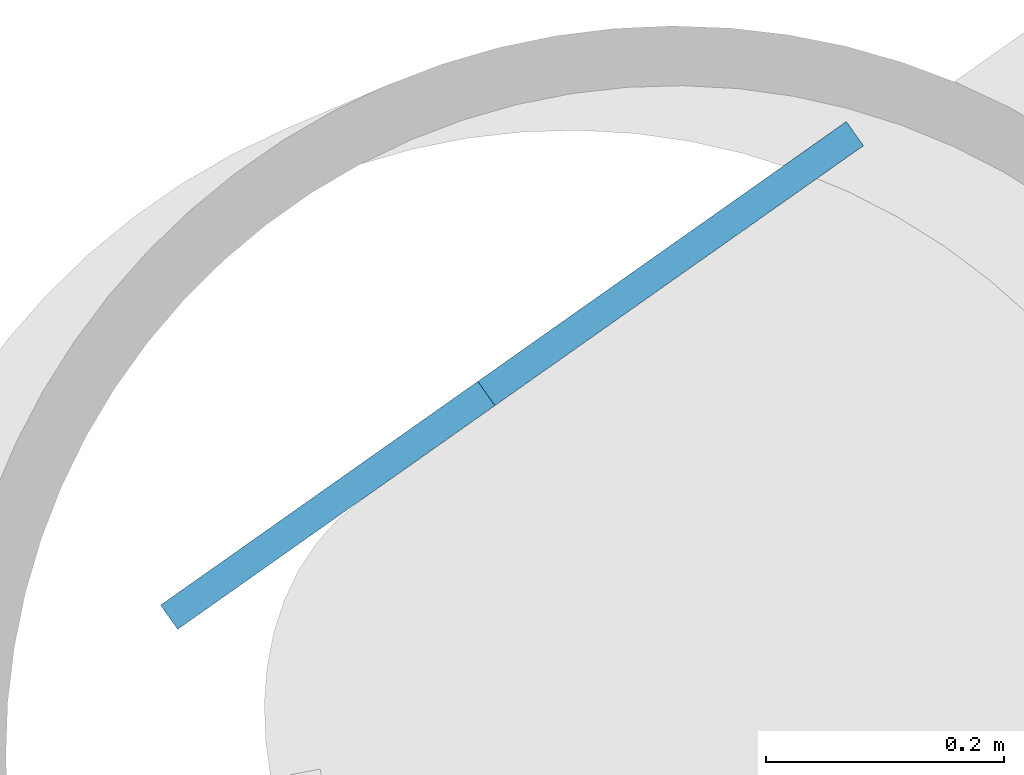
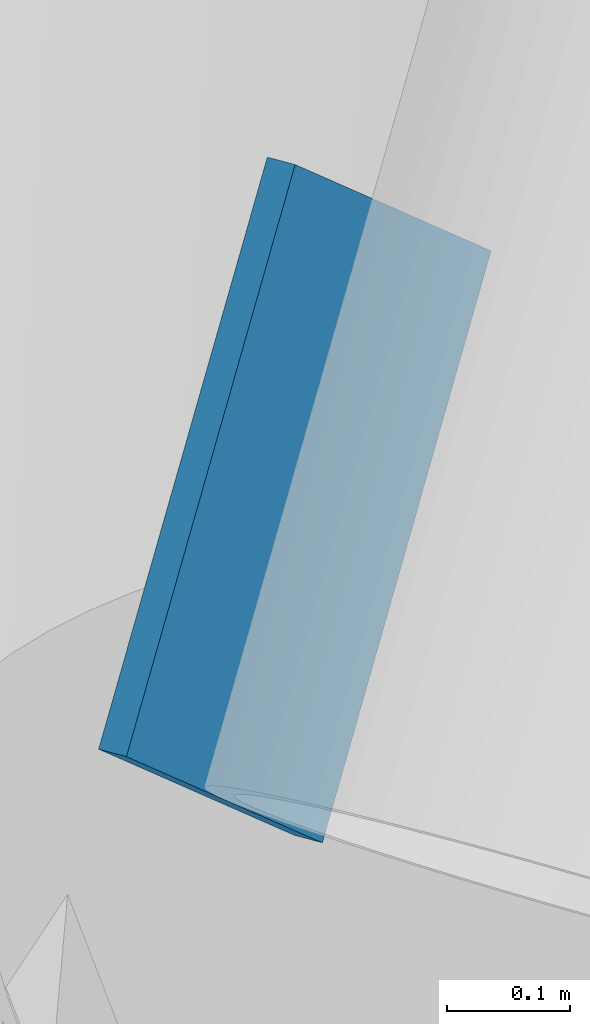
# One storey, part 9 of 22: 1 discrete accessory.
"""IFC4 building model written with IfcOpenShell, lengths in metres."""

import ifcopenshell
import ifcopenshell.guid

model = None  # the IFC model being written
_history = None  # IfcOwnerHistory: only IFC2X3 demands one
_inside = {}  # id of a spatial element -> (the spatial element, [elements in it])
_under = {}  # id of a project, library or spatial element -> (it, [spatial elements below it])
_declared = {}  # id of a project -> (the project, [libraries it declares])
_typed = {}  # id of a type object -> (the type object, [elements of that type])
_made_of = {}  # id of a material, layer set ... -> (it, [elements and type objects made of it])


def new_model(schema):
    """Start an empty IFC model of exactly this schema.

    Asked for "IFC4X3", IfcOpenShell would pick the latest addendum, in which some entities
    have other attributes; the version numbers below select the first issue.
    IFC2X3 requires an IfcOwnerHistory on every rooted entity: one is made here for all.
    """
    global model, _history
    if schema == "IFC4X3":
        model = ifcopenshell.file(schema_version=(4, 3, 0, 0))
    else:
        model = ifcopenshell.file(schema=schema)
    _inside.clear()
    _under.clear()
    _declared.clear()
    _typed.clear()
    _made_of.clear()
    _history = None
    if model.schema == "IFC2X3":
        org = make("IfcOrganization", Name="unknown")
        user = make(
            "IfcPersonAndOrganization",
            ThePerson=make("IfcPerson", FamilyName="unknown"),
            TheOrganization=org,
        )
        app = make(
            "IfcApplication",
            ApplicationDeveloper=org,
            Version="unknown",
            ApplicationFullName="unknown",
            ApplicationIdentifier="unknown",
        )
        _history = make(
            "IfcOwnerHistory",
            OwningUser=user,
            OwningApplication=app,
            ChangeAction="ADDED",
            CreationDate=0,
        )
    return model


def make(cls, **values):
    """One entity of the class cls with the attributes given. An attribute that is None is left unset."""
    return model.create_entity(
        cls, **{name: value for name, value in values.items() if value is not None}
    )


def rooted(cls, **values):
    """An entity with a GlobalId (a new one), such as an element, a storey or a relation."""
    return make(cls, GlobalId=ifcopenshell.guid.new(), OwnerHistory=_history, **values)


def si_unit(unit_type, name, prefix=None):
    """IfcSIUnit, for example si_unit("LENGTHUNIT", "METRE", prefix="MILLI")."""
    return make("IfcSIUnit", UnitType=unit_type, Prefix=prefix, Name=name)


def assignment(units):
    """IfcUnitAssignment: the units of a project."""
    return None if units is None else make("IfcUnitAssignment", Units=units)


def point(xyz):
    """IfcCartesianPoint."""
    return None if xyz is None else make("IfcCartesianPoint", Coordinates=xyz)


def direction(xyz):
    """IfcDirection."""
    return None if xyz is None else make("IfcDirection", DirectionRatios=xyz)


def frame(location, z_axis=None, x_axis=None):
    """IfcAxis2Placement3D, a coordinate frame: its origin and axes. An axis left out is left unset."""
    return make(
        "IfcAxis2Placement3D",
        Location=point(location),
        Axis=direction(z_axis),
        RefDirection=direction(x_axis),
    )


def frame_2d(location, x_axis=None):
    """IfcAxis2Placement2D, a coordinate frame in the plane: its origin and x axis."""
    return make(
        "IfcAxis2Placement2D", Location=point(location), RefDirection=direction(x_axis)
    )


def origin():
    """The frame at (0, 0, 0) with its axes left unset."""
    return frame((0.0, 0.0, 0.0))


def origin_2d():
    """The frame at (0, 0) in the plane with its x axis left unset."""
    return frame_2d((0.0, 0.0))


def place(relative_to, where):
    """IfcLocalPlacement: puts the frame where relative to a parent placement (None: the world)."""
    return make(
        "IfcLocalPlacement", PlacementRelTo=relative_to, RelativePlacement=where
    )


def context(
    kind, dimensions, precision=None, world=None, true_north=None, identifier=None
):
    """IfcGeometricRepresentationContext, for example the 3D "Model" context."""
    return make(
        "IfcGeometricRepresentationContext",
        ContextIdentifier=identifier,
        ContextType=kind,
        CoordinateSpaceDimension=dimensions,
        Precision=precision,
        WorldCoordinateSystem=world,
        TrueNorth=true_north,
    )


def subcontext(parent, identifier, kind, view, scale=None):
    """IfcGeometricRepresentationSubContext, for example "Body" below "Model"."""
    return make(
        "IfcGeometricRepresentationSubContext",
        ContextIdentifier=identifier,
        ContextType=kind,
        ParentContext=parent,
        TargetScale=scale,
        TargetView=view,
    )


def project(units=None, contexts=None):
    """IfcProject with its units and contexts."""
    return rooted(
        "IfcProject",
        Name="project",
        RepresentationContexts=contexts,
        UnitsInContext=assignment(units),
    )


def spatial(cls, under=None, at=None, **own):
    """A site, building, storey or space (cls), placed at a placement, below another one or the project."""
    s = rooted(cls, ObjectPlacement=at, **own)
    if under is not None:
        _under.setdefault(under.id(), (under, []))[1].append(s)
    return s


def profile(cls, at=None, kind="AREA", **sizes):
    """A parametric profile (cls). Its sizes go by their IFC names, for example OverallWidth=200.0."""
    return make(cls, ProfileType=kind, Position=at, **sizes)


def rectangle(**sizes):
    """IfcRectangleProfileDef."""
    return profile("IfcRectangleProfileDef", **sizes)


def extrude(swept, where, along, depth):
    """IfcExtrudedAreaSolid: the profile swept, set in the frame where, extruded along a direction by depth."""
    return make(
        "IfcExtrudedAreaSolid",
        SweptArea=swept,
        Position=where,
        ExtrudedDirection=direction(along),
        Depth=depth,
    )


def shape(context_of_items, identifier, shape_type, items):
    """IfcShapeRepresentation: the items that make up one representation, for example the "Body"."""
    return make(
        "IfcShapeRepresentation",
        ContextOfItems=context_of_items,
        RepresentationIdentifier=identifier,
        RepresentationType=shape_type,
        Items=items,
    )


def material(Name=None, Category=None):
    """IfcMaterial."""
    return make("IfcMaterial", Name=Name, Category=Category)


def material_profile(
    of_material, cross_section, Name=None, Category=None, Priority=None
):
    """IfcMaterialProfile: a cross section and its material."""
    return make(
        "IfcMaterialProfile",
        Name=Name,
        Material=of_material,
        Profile=cross_section,
        Priority=Priority,
        Category=Category,
    )


def profile_set(profiles, Name=None, composite=None):
    """IfcMaterialProfileSet."""
    return make(
        "IfcMaterialProfileSet",
        Name=Name,
        MaterialProfiles=profiles,
        CompositeProfile=composite,
    )


def made_of(thing, what):
    """Note that an element or type object is made of a material, layer set ...; save() writes the relation."""
    if what is not None:
        _made_of.setdefault(what.id(), (what, []))[1].append(thing)
    return thing


def type_object(cls, material=None, **own):
    """A type object (cls), such as IfcWallType, which elements share."""
    return made_of(rooted(cls, **own), material)


def element(
    cls,
    number,
    at=None,
    inside=None,
    cuts=None,
    type_object=None,
    material=None,
    context=None,
    identifier="Body",
    shape_type=None,
    held_by="IfcProductDefinitionShape",
    body=None,
    shapes=None,
    **own,
):
    """One element of the class cls, such as IfcWall. Its Tag is "e" and its number.

    at: its placement. inside: the storey or other place that contains it. cuts: it is an
    opening in that element (IfcRelVoidsElement). A single representation is given by context,
    identifier, shape_type and body (its items); several are given by shapes. held_by: the class
    of the entity that holds the representations. save() writes the other relations.
    """
    e = rooted(cls, Tag="e%d" % number, ObjectPlacement=at, **own)
    if body is not None:
        shapes = [shape(context, identifier, shape_type, body)]
    if shapes is not None:
        e.Representation = make(held_by, Representations=shapes)
    if inside is not None:
        _inside.setdefault(inside.id(), (inside, []))[1].append(e)
    if cuts is not None:
        rooted(
            "IfcRelVoidsElement", RelatingBuildingElement=cuts, RelatedOpeningElement=e
        )
    if type_object is not None:
        _typed.setdefault(type_object.id(), (type_object, []))[1].append(e)
    return made_of(e, material)


def aggregate(whole, parts):
    """IfcRelAggregates: a whole, such as a stair, and the parts it consists of."""
    return rooted("IfcRelAggregates", RelatingObject=whole, RelatedObjects=parts)


def save(model, path):
    """Write the relations noted so far, then the file.

    IfcRelAggregates (storeys below a building ...), IfcRelContainedInSpatialStructure (elements
    in a storey), IfcRelDefinesByType, IfcRelAssociatesMaterial and IfcRelDeclares: one each for
    every whole, place, type object, material and project.
    """
    for whole, parts in _under.values():
        aggregate(whole, parts)
    for where, things in _inside.values():
        rooted(
            "IfcRelContainedInSpatialStructure",
            RelatedElements=things,
            RelatingStructure=where,
        )
    for kind, things in _typed.values():
        rooted("IfcRelDefinesByType", RelatedObjects=things, RelatingType=kind)
    for what, things in _made_of.values():
        rooted("IfcRelAssociatesMaterial", RelatedObjects=things, RelatingMaterial=what)
    for by, libraries in _declared.values():
        rooted("IfcRelDeclares", RelatingContext=by, RelatedDefinitions=libraries)
    model.write(path)


model = new_model("IFC4")

# Units and contexts
model_context = context("Model", 3, precision=1e-05, world=origin(), true_north=direction((0.0, 1.0)))
body_context = subcontext(model_context, "Body", "Model", "MODEL_VIEW")
ifc_project = project(units=[si_unit("LENGTHUNIT", "METRE"), si_unit("AREAUNIT", "SQUARE_METRE"), si_unit("VOLUMEUNIT", "CUBIC_METRE"), si_unit("PLANEANGLEUNIT", "RADIAN"), si_unit("MASSUNIT", "GRAM", prefix="KILO")], contexts=[model_context])

# Site, building, storey
site_placement = place(None, origin())
site = spatial("IfcSite", under=ifc_project, at=site_placement, CompositionType="ELEMENT")
building_placement = place(site_placement, origin())
building = spatial("IfcBuilding", under=site, at=building_placement, Name="Tarsis Ring Headquarters", CompositionType="ELEMENT")
storey_placement = place(building_placement, frame((0.0, 0.0, 71.199951171875)))
storey = spatial("IfcBuildingStorey", under=building, at=storey_placement, Name="L15", CompositionType="ELEMENT", Elevation=71.199951171875)

# Discrete accessory
ifc_material = material(Name="Structural steel S355", Category="steel")
ifc_material_profile = material_profile(ifc_material, rectangle(XDim=0.02490234375, YDim=0.5, at=origin_2d()), Name="PL 25x500")
ifc_profile_set = profile_set([ifc_material_profile], Name="Structural steel S355")
discrete_accessory_type = type_object("IfcDiscreteAccessoryType", Name="Gusset plate Exo brace 25", PredefinedType="BRACKET", material=ifc_profile_set)
discrete_accessory_placement = place(storey_placement, frame((11.154541015625, -26.4853515625, 0.0), z_axis=(0.533218126446, 0.375987140443, 0.757833820736), x_axis=(-0.57627176107, 0.81725813388, 0.0)))
element("IfcDiscreteAccessory", 1, at=discrete_accessory_placement, inside=storey, type_object=discrete_accessory_type, Name="Gusset plate GP5", PredefinedType="BRACKET", context=body_context, shape_type="SweptSolid", body=[
    extrude(rectangle(XDim=0.02490234375, YDim=0.5, at=origin_2d()), origin(), (0.0, 0.0, 1.0), 0.5),
])

save(model, "model.ifc")
